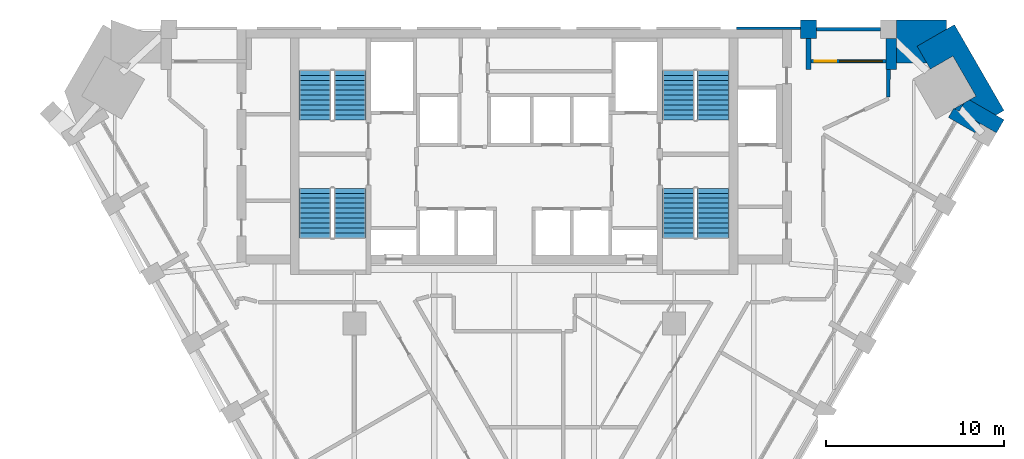
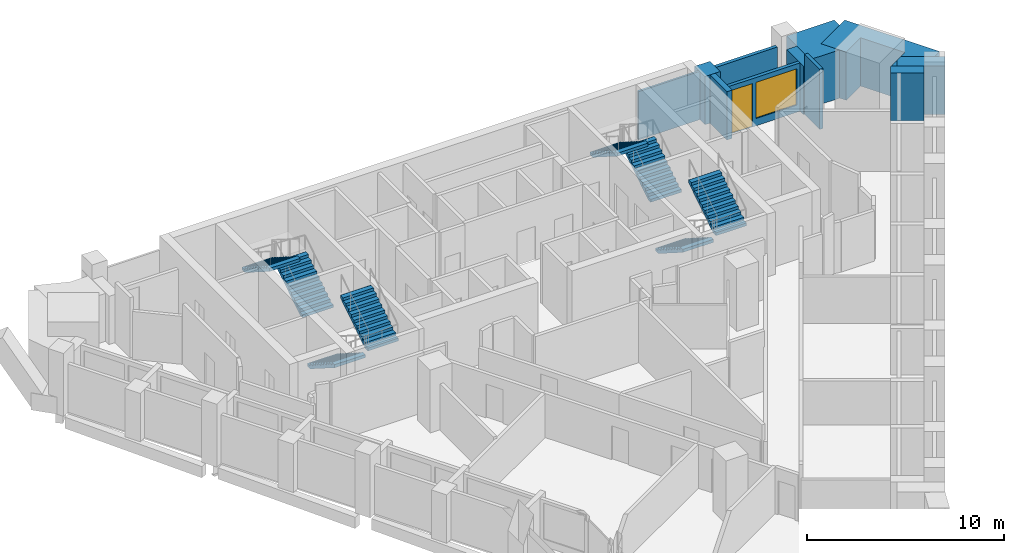
# One storey, part 8 of 9: 12 walls, 8 stair flights, 1 door, 1 window, 2 openings, 4 elements without a shape of their own.
"""IFC4 building model written with IfcOpenShell, lengths in metres."""

import ifcopenshell
import ifcopenshell.guid

model = None  # the IFC model being written
_history = None  # IfcOwnerHistory: only IFC2X3 demands one
_inside = {}  # id of a spatial element -> (the spatial element, [elements in it])
_under = {}  # id of a project, library or spatial element -> (it, [spatial elements below it])
_declared = {}  # id of a project -> (the project, [libraries it declares])
_typed = {}  # id of a type object -> (the type object, [elements of that type])
_made_of = {}  # id of a material, layer set ... -> (it, [elements and type objects made of it])


def new_model(schema):
    """Start an empty IFC model of exactly this schema.

    Asked for "IFC4X3", IfcOpenShell would pick the latest addendum, in which some entities
    have other attributes; the version numbers below select the first issue.
    IFC2X3 requires an IfcOwnerHistory on every rooted entity: one is made here for all.
    """
    global model, _history
    if schema == "IFC4X3":
        model = ifcopenshell.file(schema_version=(4, 3, 0, 0))
    else:
        model = ifcopenshell.file(schema=schema)
    _inside.clear()
    _under.clear()
    _declared.clear()
    _typed.clear()
    _made_of.clear()
    _history = None
    if model.schema == "IFC2X3":
        org = make("IfcOrganization", Name="unknown")
        user = make(
            "IfcPersonAndOrganization",
            ThePerson=make("IfcPerson", FamilyName="unknown"),
            TheOrganization=org,
        )
        app = make(
            "IfcApplication",
            ApplicationDeveloper=org,
            Version="unknown",
            ApplicationFullName="unknown",
            ApplicationIdentifier="unknown",
        )
        _history = make(
            "IfcOwnerHistory",
            OwningUser=user,
            OwningApplication=app,
            ChangeAction="ADDED",
            CreationDate=0,
        )
    return model


def make(cls, **values):
    """One entity of the class cls with the attributes given. An attribute that is None is left unset."""
    return model.create_entity(
        cls, **{name: value for name, value in values.items() if value is not None}
    )


def rooted(cls, **values):
    """An entity with a GlobalId (a new one), such as an element, a storey or a relation."""
    return make(cls, GlobalId=ifcopenshell.guid.new(), OwnerHistory=_history, **values)


def si_unit(unit_type, name, prefix=None):
    """IfcSIUnit, for example si_unit("LENGTHUNIT", "METRE", prefix="MILLI")."""
    return make("IfcSIUnit", UnitType=unit_type, Prefix=prefix, Name=name)


def assignment(units):
    """IfcUnitAssignment: the units of a project."""
    return None if units is None else make("IfcUnitAssignment", Units=units)


def point(xyz):
    """IfcCartesianPoint."""
    return None if xyz is None else make("IfcCartesianPoint", Coordinates=xyz)


def direction(xyz):
    """IfcDirection."""
    return None if xyz is None else make("IfcDirection", DirectionRatios=xyz)


def frame(location, z_axis=None, x_axis=None):
    """IfcAxis2Placement3D, a coordinate frame: its origin and axes. An axis left out is left unset."""
    return make(
        "IfcAxis2Placement3D",
        Location=point(location),
        Axis=direction(z_axis),
        RefDirection=direction(x_axis),
    )


def frame_2d(location, x_axis=None):
    """IfcAxis2Placement2D, a coordinate frame in the plane: its origin and x axis."""
    return make(
        "IfcAxis2Placement2D", Location=point(location), RefDirection=direction(x_axis)
    )


def origin():
    """The frame at (0, 0, 0) with its axes left unset."""
    return frame((0.0, 0.0, 0.0))


def place(relative_to, where):
    """IfcLocalPlacement: puts the frame where relative to a parent placement (None: the world)."""
    return make(
        "IfcLocalPlacement", PlacementRelTo=relative_to, RelativePlacement=where
    )


def context(
    kind, dimensions, precision=None, world=None, true_north=None, identifier=None
):
    """IfcGeometricRepresentationContext, for example the 3D "Model" context."""
    return make(
        "IfcGeometricRepresentationContext",
        ContextIdentifier=identifier,
        ContextType=kind,
        CoordinateSpaceDimension=dimensions,
        Precision=precision,
        WorldCoordinateSystem=world,
        TrueNorth=true_north,
    )


def subcontext(parent, identifier, kind, view, scale=None):
    """IfcGeometricRepresentationSubContext, for example "Body" below "Model"."""
    return make(
        "IfcGeometricRepresentationSubContext",
        ContextIdentifier=identifier,
        ContextType=kind,
        ParentContext=parent,
        TargetScale=scale,
        TargetView=view,
    )


def project(units=None, contexts=None):
    """IfcProject with its units and contexts."""
    return rooted(
        "IfcProject",
        Name="project",
        RepresentationContexts=contexts,
        UnitsInContext=assignment(units),
    )


def spatial(cls, under=None, at=None, **own):
    """A site, building, storey or space (cls), placed at a placement, below another one or the project."""
    s = rooted(cls, ObjectPlacement=at, **own)
    if under is not None:
        _under.setdefault(under.id(), (under, []))[1].append(s)
    return s


def polyline(points):
    """IfcPolyline through the points."""
    return make("IfcPolyline", Points=[point(p) for p in points])


def profile(cls, at=None, kind="AREA", **sizes):
    """A parametric profile (cls). Its sizes go by their IFC names, for example OverallWidth=200.0."""
    return make(cls, ProfileType=kind, Position=at, **sizes)


def rectangle(**sizes):
    """IfcRectangleProfileDef."""
    return profile("IfcRectangleProfileDef", **sizes)


def outline(outer, holes=None, kind="AREA"):
    """IfcArbitraryClosedProfileDef: a profile drawn as a closed curve; with holes, ...WithVoids."""
    if holes is None:
        return make("IfcArbitraryClosedProfileDef", ProfileType=kind, OuterCurve=outer)
    return make(
        "IfcArbitraryProfileDefWithVoids",
        ProfileType=kind,
        OuterCurve=outer,
        InnerCurves=holes,
    )


def extrude(swept, where, along, depth):
    """IfcExtrudedAreaSolid: the profile swept, set in the frame where, extruded along a direction by depth."""
    return make(
        "IfcExtrudedAreaSolid",
        SweptArea=swept,
        Position=where,
        ExtrudedDirection=direction(along),
        Depth=depth,
    )


def faces_of(points, faces, orient=None, outer=None):
    """IfcFace entities. A face is a list of loops; a loop is a list of indices into points, from 0.

    orient and outer hold one flag for each loop. By default every Orientation is true, the
    first loop of a face is its IfcFaceOuterBound and the others are IfcFaceBound.
    """
    made = []
    for i, loops in enumerate(faces):
        bounds = []
        for j, loop in enumerate(loops):
            is_outer = j == 0 if outer is None else outer[i][j]
            bounds.append(
                make(
                    "IfcFaceOuterBound" if is_outer else "IfcFaceBound",
                    Bound=make("IfcPolyLoop", Polygon=[points[k] for k in loop]),
                    Orientation=True if orient is None else orient[i][j],
                )
            )
        made.append(make("IfcFace", Bounds=bounds))
    return made


def faceted_brep(points, faces, orient=None, outer=None, voids=None):
    """IfcFacetedBrep: a solid bounded by flat faces; with voids (closed shells), ...WithVoids."""
    shared = [point(p) for p in points]
    hull = make("IfcClosedShell", CfsFaces=faces_of(shared, faces, orient, outer))
    if voids is None:
        return make("IfcFacetedBrep", Outer=hull)
    return make(
        "IfcFacetedBrepWithVoids",
        Outer=hull,
        Voids=[
            make(cls, CfsFaces=faces_of(shared, fs, o, b)) for cls, fs, o, b in voids
        ],
    )


def shape(context_of_items, identifier, shape_type, items):
    """IfcShapeRepresentation: the items that make up one representation, for example the "Body"."""
    return make(
        "IfcShapeRepresentation",
        ContextOfItems=context_of_items,
        RepresentationIdentifier=identifier,
        RepresentationType=shape_type,
        Items=items,
    )


def source(mapping_origin, context_of_items, identifier, shape_type, items):
    """IfcRepresentationMap: a shape defined once, which mapped items show again and again."""
    return make(
        "IfcRepresentationMap",
        MappingOrigin=mapping_origin,
        MappedRepresentation=shape(context_of_items, identifier, shape_type, items),
    )


def transform(
    local_origin,
    x_axis=None,
    y_axis=None,
    z_axis=None,
    scale=None,
    scale2=None,
    scale3=None,
    uniform=True,
):
    """IfcCartesianTransformationOperator3D, or its non-uniform kind. x_axis, y_axis, z_axis: its Axis1, 2, 3."""
    if uniform:
        return make(
            "IfcCartesianTransformationOperator3D",
            Axis1=direction(x_axis),
            Axis2=direction(y_axis),
            LocalOrigin=point(local_origin),
            Scale=scale,
            Axis3=direction(z_axis),
        )
    return make(
        "IfcCartesianTransformationOperator3DnonUniform",
        Axis1=direction(x_axis),
        Axis2=direction(y_axis),
        LocalOrigin=point(local_origin),
        Scale=scale,
        Axis3=direction(z_axis),
        Scale2=scale2,
        Scale3=scale3,
    )


def mapped(mapping_source, mapping_target):
    """IfcMappedItem: shows the shape of a source again, moved by a transform."""
    return make(
        "IfcMappedItem", MappingSource=mapping_source, MappingTarget=mapping_target
    )


def material(Name=None, Category=None):
    """IfcMaterial."""
    return make("IfcMaterial", Name=Name, Category=Category)


def layer(
    of_material, thickness, ventilated=None, Name=None, Category=None, Priority=None
):
    """IfcMaterialLayer: one layer of a wall or slab, of a material (None: an air gap)."""
    return make(
        "IfcMaterialLayer",
        Material=of_material,
        LayerThickness=thickness,
        IsVentilated=ventilated,
        Name=Name,
        Category=Category,
        Priority=Priority,
    )


def layer_set(layers, Name=None):
    """IfcMaterialLayerSet."""
    return make("IfcMaterialLayerSet", MaterialLayers=layers, LayerSetName=Name)


def made_of(thing, what):
    """Note that an element or type object is made of a material, layer set ...; save() writes the relation."""
    if what is not None:
        _made_of.setdefault(what.id(), (what, []))[1].append(thing)
    return thing


def type_object(cls, material=None, **own):
    """A type object (cls), such as IfcWallType, which elements share."""
    return made_of(rooted(cls, **own), material)


def element(
    cls,
    number,
    at=None,
    inside=None,
    cuts=None,
    type_object=None,
    material=None,
    context=None,
    identifier="Body",
    shape_type=None,
    held_by="IfcProductDefinitionShape",
    body=None,
    shapes=None,
    **own,
):
    """One element of the class cls, such as IfcWall. Its Tag is "e" and its number.

    at: its placement. inside: the storey or other place that contains it. cuts: it is an
    opening in that element (IfcRelVoidsElement). A single representation is given by context,
    identifier, shape_type and body (its items); several are given by shapes. held_by: the class
    of the entity that holds the representations. save() writes the other relations.
    """
    e = rooted(cls, Tag="e%d" % number, ObjectPlacement=at, **own)
    if body is not None:
        shapes = [shape(context, identifier, shape_type, body)]
    if shapes is not None:
        e.Representation = make(held_by, Representations=shapes)
    if inside is not None:
        _inside.setdefault(inside.id(), (inside, []))[1].append(e)
    if cuts is not None:
        rooted(
            "IfcRelVoidsElement", RelatingBuildingElement=cuts, RelatedOpeningElement=e
        )
    if type_object is not None:
        _typed.setdefault(type_object.id(), (type_object, []))[1].append(e)
    return made_of(e, material)


def fill(opening, filler):
    """IfcRelFillsElement: the door or window that sits in an opening."""
    return rooted(
        "IfcRelFillsElement",
        RelatingOpeningElement=opening,
        RelatedBuildingElement=filler,
    )


def aggregate(whole, parts):
    """IfcRelAggregates: a whole, such as a stair, and the parts it consists of."""
    return rooted("IfcRelAggregates", RelatingObject=whole, RelatedObjects=parts)


def save(model, path):
    """Write the relations noted so far, then the file.

    IfcRelAggregates (storeys below a building ...), IfcRelContainedInSpatialStructure (elements
    in a storey), IfcRelDefinesByType, IfcRelAssociatesMaterial and IfcRelDeclares: one each for
    every whole, place, type object, material and project.
    """
    for whole, parts in _under.values():
        aggregate(whole, parts)
    for where, things in _inside.values():
        rooted(
            "IfcRelContainedInSpatialStructure",
            RelatedElements=things,
            RelatingStructure=where,
        )
    for kind, things in _typed.values():
        rooted("IfcRelDefinesByType", RelatedObjects=things, RelatingType=kind)
    for what, things in _made_of.values():
        rooted("IfcRelAssociatesMaterial", RelatedObjects=things, RelatingMaterial=what)
    for by, libraries in _declared.values():
        rooted("IfcRelDeclares", RelatingContext=by, RelatedDefinitions=libraries)
    model.write(path)


model = new_model("IFC4")

# Units and contexts
model_context = context("Model", 3, precision=1e-05, world=origin(), true_north=direction((0.0, 1.0)))
body_context = subcontext(model_context, "Body", "Model", "MODEL_VIEW")
ifc_project = project(units=[si_unit("LENGTHUNIT", "METRE"), si_unit("AREAUNIT", "SQUARE_METRE"), si_unit("VOLUMEUNIT", "CUBIC_METRE"), si_unit("PLANEANGLEUNIT", "RADIAN"), si_unit("MASSUNIT", "GRAM", prefix="KILO")], contexts=[model_context])

# Site, building, storey
site_placement = place(None, origin())
site = spatial("IfcSite", under=ifc_project, at=site_placement, CompositionType="ELEMENT")
building_placement = place(site_placement, origin())
building = spatial("IfcBuilding", under=site, at=building_placement, Name="Calabash Gate Tower", CompositionType="ELEMENT")
storey_placement = place(building_placement, frame((0.0, 0.0, 179.699951171875)))
storey = spatial("IfcBuildingStorey", under=building, at=storey_placement, Name="L42", CompositionType="ELEMENT", Elevation=179.699951171875)

# Walls
ifc_material_1 = material(Name="Terracotta brick masonry, exposed face", Category="masonry")
ifc_layer_1 = layer(ifc_material_1, 2.425048828125)
ifc_layer_set_1 = layer_set([ifc_layer_1], Name="Brick corner mass wall 2425")
wall_type_1 = type_object("IfcWallType", Name="Brick corner mass wall 2425", PredefinedType="SOLIDWALL", material=ifc_layer_set_1)
wall_1_placement = place(storey_placement, origin())
element("IfcWall", 1, at=wall_1_placement, inside=storey, type_object=wall_type_1, Name="Brick corner pier S12 3a", PredefinedType="SOLIDWALL", context=body_context, shape_type="SweptSolid", body=[
    extrude(outline(polyline([(25.05126953125, 14.434326171875), (27.1513671875, 13.221923828125), (27.576171875, 13.957763671875), (25.63134765625, 15.08056640625), (25.32080078125, 14.9013671875), (25.05126953125, 14.434326171875)])), origin(), (0.0, 0.0, 1.0), 3.0),
])
wall_2_placement = place(storey_placement, origin())
element("IfcWall", 2, at=wall_2_placement, inside=storey, type_object=wall_type_1, Name="Brick corner pier S12 3ba", PredefinedType="SOLIDWALL", context=body_context, shape_type="SweptSolid", body=[
    extrude(outline(polyline([(25.05126953125, 14.434326171875), (25.32080078125, 14.9013671875), (24.78173828125, 14.590087890625), (25.05126953125, 14.434326171875)])), origin(), (0.0, 0.0, 1.0), 3.0),
])
wall_3_placement = place(storey_placement, origin())
element("IfcWall", 3, at=wall_3_placement, inside=storey, type_object=wall_type_1, Name="Brick corner pier S12 3bb", PredefinedType="SOLIDWALL", context=body_context, shape_type="SweptSolid", body=[
    extrude(outline(polyline([(23.430908203125, 16.8125), (24.69775390625, 17.5439453125), (25.997802734375, 15.292236328125), (25.63134765625, 15.08056640625), (27.12158203125, 14.22021484375), (27.576171875, 14.482666015625), (24.786376953125, 19.31494140625), (22.68603515625, 18.1025390625), (23.430908203125, 16.8125)])), origin(), (0.0, 0.0, 1.0), 3.0),
])
wall_4_placement = place(storey_placement, origin())
element("IfcWall", 4, at=wall_4_placement, inside=storey, type_object=wall_type_1, Name="Brick corner pier S12 3c", PredefinedType="SOLIDWALL", context=body_context, shape_type="SweptSolid", body=[
    extrude(outline(polyline([(21.521728515625, 18.528076171875), (21.521728515625, 17.152587890625), (23.234619140625, 17.152587890625), (22.68603515625, 18.1025390625), (24.33154296875, 19.052490234375), (24.33154296875, 19.57763671875), (21.52197265625, 19.57763671875), (21.52197265625, 18.528076171875), (21.521728515625, 18.528076171875)])), origin(), (0.0, 0.0, 1.0), 3.0),
])
ifc_material_2 = material(Name="Terracotta brick masonry, exposed face", Category="masonry")
ifc_layer_2 = layer(ifc_material_2, 1.050048828125)
ifc_layer_set_2 = layer_set([ifc_layer_2], Name="Brick end wall 1050")
wall_type_2 = type_object("IfcWallType", Name="Brick end wall 1050", PredefinedType="SOLIDWALL", material=ifc_layer_set_2)
wall_5_placement = place(storey_placement, origin())
element("IfcWall", 5, at=wall_5_placement, inside=storey, type_object=wall_type_2, Name="Brick pier S12 N6.1", PredefinedType="SOLIDWALL", context=body_context, shape_type="SweptSolid", body=[
    extrude(outline(polyline([(17.021728515625, 19.57763671875), (16.121826171875, 19.57763671875), (16.121826171875, 18.527587890625), (17.021728515625, 18.527587890625), (17.021728515625, 19.57763671875)])), origin(), (0.0, 0.0, 1.0), 3.0),
])
ifc_material_3 = material(Name="Terracotta brick masonry, exposed face", Category="masonry")
ifc_layer_3 = layer(ifc_material_3, 0.300048828125)
ifc_layer_set_3 = layer_set([ifc_layer_3], Name="Brick loggia cheek wall 300")
wall_type_3 = type_object("IfcWallType", Name="Brick loggia cheek wall 300", PredefinedType="SOLIDWALL", material=ifc_layer_set_3)
wall_6_placement = place(storey_placement, frame((26.09130859375, 13.487548828125, 0.0), z_axis=(0.0, 0.0, 1.0), x_axis=(-0.866029956157, 0.499992114976, 0.0)))
element("IfcWall", 6, at=wall_6_placement, inside=storey, type_object=wall_type_3, Name="Loggia cheek S12 SE4.8", PredefinedType="SOLIDWALL", context=body_context, shape_type="SweptSolid", body=[
    extrude(rectangle(XDim=1.72412109375, YDim=0.60009765625, at=frame_2d((0.862060546875, 0.0))), origin(), (0.0, 0.0, 1.0), 3.0),
])
wall_7_placement = place(storey_placement, origin())
element("IfcWall", 7, at=wall_7_placement, inside=storey, type_object=wall_type_3, Name="Loggia cheek S12 N6.0", PredefinedType="SOLIDWALL", context=body_context, shape_type="SweptSolid", body=[
    extrude(outline(polyline([(21.521728515625, 16.802490234375), (21.521728515625, 18.527587890625), (20.921875, 18.527587890625), (20.921875, 16.802490234375), (21.521728515625, 16.802490234375)])), origin(), (0.0, 0.0, 1.0), 3.0),
])
wall_8_placement = place(storey_placement, origin())
element("IfcWall", 8, at=wall_8_placement, inside=storey, type_object=wall_type_3, Name="Loggia cheek S12 N6.1", PredefinedType="SOLIDWALL", context=body_context, shape_type="SweptSolid", body=[
    extrude(outline(polyline([(16.421875, 18.527587890625), (16.421875, 16.802490234375), (16.721923828125, 16.802490234375), (16.721923828125, 18.527587890625), (16.421875, 18.527587890625)])), origin(), (0.0, 0.0, 1.0), 3.0),
])
ifc_material_4 = material(Name="Gypsum board on steel studs, mineral wool", Category="steel")
ifc_layer_4 = layer(ifc_material_4, 0.199951171875)
ifc_layer_set_4 = layer_set([ifc_layer_4], Name="Partition 200 gypsum board EI 60")
wall_type_4 = type_object("IfcWallType", Name="Partition 200 gypsum board EI 60", PredefinedType="PARTITIONING", material=ifc_layer_set_4)
wall_9_placement = place(storey_placement, frame((21.072021484375, 15.252197265625, 0.0), z_axis=(0.0, 0.0, 1.0), x_axis=(0.000314960614, 0.9999999504, 0.0)))
element("IfcWall", 9, at=wall_9_placement, inside=storey, type_object=wall_type_4, Name="Partition", PredefinedType="PARTITIONING", context=body_context, shape_type="SweptSolid", body=[
    extrude(rectangle(XDim=1.55029296875, YDim=0.199951171875, at=frame_2d((0.775146484375, 0.0))), origin(), (0.0, 0.0, 1.0), 3.72998046875),
])
ifc_material_5 = material(Name="Terracotta brick masonry, perforated", Category="masonry")
ifc_layer_5 = layer(ifc_material_5, 0.199951171875)
ifc_layer_set_5 = layer_set([ifc_layer_5], Name="Terracotta jaali screen B")
wall_type_5 = type_object("IfcWallType", Name="Terracotta jaali screen B", PredefinedType="SOLIDWALL", material=ifc_layer_set_5)
wall_10_placement = place(storey_placement, frame((20.621826171875, 19.052490234375, 0.0), z_axis=(0.0, 0.0, 1.0), x_axis=(-1.0, 0.0, 0.0)))
element("IfcWall", 10, at=wall_10_placement, inside=storey, type_object=wall_type_5, Name="SCREEN B S12 N6.1", PredefinedType="SOLIDWALL", context=body_context, shape_type="SweptSolid", body=[
    extrude(rectangle(XDim=3.60009765625, YDim=0.199951171875, at=frame_2d((1.800048828125, 0.0))), origin(), (0.0, 0.0, 1.0), 3.0),
])
ifc_material_6 = material(Name="Terracotta louvre blades in an aluminium frame", Category="masonry")
ifc_layer_6 = layer(ifc_material_6, 0.1201171875)
ifc_layer_set_6 = layer_set([ifc_layer_6], Name="Terracotta vent louvre cladding 120")
wall_type_6 = type_object("IfcWallType", Name="Terracotta vent louvre cladding 120", PredefinedType="ELEMENTEDWALL", material=ifc_layer_set_6)
wall_11_placement = place(storey_placement, origin())
element("IfcWall", 11, at=wall_11_placement, inside=storey, type_object=wall_type_6, Name="Vent louvre cladding S12 N6.2", PredefinedType="ELEMENTEDWALL", context=body_context, shape_type="SweptSolid", body=[
    extrude(outline(polyline([(12.521728515625, 19.172607421875), (12.521728515625, 19.052490234375), (16.121337890625, 19.052490234375), (16.121337890625, 19.172607421875), (12.521728515625, 19.172607421875)])), origin(), (0.0, 0.0, 1.0), 3.0),
])

# Wall, openings, door, window
ifc_material_7 = material(Name="Aluminium framed window wall with insulated spandrel", Category="aluminium")
ifc_layer_7 = layer(ifc_material_7, 0.199951171875)
ifc_layer_set_7 = layer_set([ifc_layer_7], Name="Window wall 200")
wall_type_7 = type_object("IfcWallType", Name="Window wall 200", PredefinedType="ELEMENTEDWALL", material=ifc_layer_set_7)
wall_12_placement = place(storey_placement, frame((20.921875, 17.25244140625, 0.0), z_axis=(0.0, 0.0, 1.0), x_axis=(-1.0, 0.0, 0.0)))
wall_12 = element("IfcWall", 12, at=wall_12_placement, inside=storey, type_object=wall_type_7, Name="Window wall S12 N6.1", PredefinedType="ELEMENTEDWALL", context=body_context, shape_type="SweptSolid", body=[
    extrude(rectangle(XDim=4.199951171875, YDim=0.199951171875, at=frame_2d((2.10009765625, 0.0))), origin(), (0.0, 0.0, 1.0), 3.0),
])
opening_1_placement = place(wall_12_placement, frame((0.199951171875, 0.0, 0.449951171875)))
opening_1 = element("IfcOpeningElement", 13, at=opening_1_placement, cuts=wall_12, Name="Opening OW1", PredefinedType="OPENING", context=body_context, shape_type="SweptSolid", body=[
    extrude(rectangle(XDim=2.39990234375, YDim=2.25, at=frame_2d((1.199951171875, 1.125))), frame((0.0, 0.10986328125, 0.0), z_axis=(0.0, -1.0, 0.0), x_axis=(1.0, 0.0, 0.0)), (0.0, 0.0, 1.0), 0.219970703125),
])
opening_2_placement = place(wall_12_placement, frame((2.800048828125, 0.0, 0.0)))
opening_2 = element("IfcOpeningElement", 14, at=opening_2_placement, cuts=wall_12, Name="Opening O4-019", PredefinedType="OPENING", context=body_context, shape_type="SweptSolid", body=[
    extrude(rectangle(XDim=1.199951171875, YDim=2.699951171875, at=frame_2d((0.60009765625, 1.35009765625))), frame((0.0, 0.10986328125, 0.0), z_axis=(0.0, -1.0, 0.0), x_axis=(1.0, 0.0, 0.0)), (0.0, 0.0, 1.0), 0.219970703125),
])
ifc_material_8 = material(Name="Anodised aluminium frame, bronze finish, impact-rated laminated clear glazing", Category="aluminium")
door_type = type_object("IfcDoorType", Name="Loggia door DO1 1200x2700", OperationType="SLIDING_TO_LEFT", PredefinedType="DOOR", material=ifc_material_8)
door_placement = place(opening_2_placement, origin())
door = element("IfcDoor", 15, at=door_placement, inside=storey, type_object=door_type, Name="Loggia door S12 N6.1", OperationType="SINGLE_SWING_LEFT", OverallHeight=2.699951171875, OverallWidth=1.199951171875, PredefinedType="DOOR", context=body_context, shape_type="SweptSolid", body=[
    extrude(rectangle(XDim=1.199951171875, YDim=2.699951171875, at=frame_2d((0.60009765625, 1.35009765625))), frame((0.0, 0.02490234375, 0.0), z_axis=(0.0, -1.0, 0.0), x_axis=(1.0, 0.0, 0.0)), (0.0, 0.0, 1.0), 0.050048828125),
])
fill(opening_2, door)
ifc_material_9 = material(Name="Anodised aluminium frame, bronze finish, impact-rated laminated clear glazing", Category="aluminium")
window_type = type_object("IfcWindowType", Name="Window OW1 2400x2250", PartitioningType="DOUBLE_PANEL_VERTICAL", PredefinedType="WINDOW", material=ifc_material_9)
window_placement = place(opening_1_placement, origin())
window = element("IfcWindow", 16, at=window_placement, inside=storey, type_object=window_type, Name="Window OW1 S12 N6.1", OverallHeight=2.25, OverallWidth=2.39990234375, PartitioningType="SINGLE_PANEL", PredefinedType="WINDOW", context=body_context, shape_type="SweptSolid", body=[
    extrude(rectangle(XDim=2.39990234375, YDim=2.25, at=frame_2d((1.199951171875, 1.125))), frame((0.0, 0.030029296875, 0.0), z_axis=(0.0, -1.0, 0.0), x_axis=(1.0, 0.0, 0.0)), (0.0, 0.0, 1.0), 0.06005859375),
])
fill(opening_1, window)

# Stair, stair flights
ifc_material_10 = material(Name="Concrete C40/50", Category="concrete")
stair_type = type_object("IfcStairType", Name="Exit stair 22 risers of 177.3 mm", PredefinedType="HALF_TURN_STAIR", material=ifc_material_10)
stair_1_placement = place(storey_placement, origin())
stair_1 = element("IfcStair", 17, at=stair_1_placement, inside=storey, type_object=stair_type, Name="L42 Exit stair ST1", PredefinedType="HALF_TURN_STAIR")
ifc_material_11 = material(Name="Concrete C40/50", Category="concrete")
stair_flight_type = type_object("IfcStairFlightType", Name="Exit stair flight SFL", PredefinedType="STRAIGHT", material=ifc_material_11)
shared_shape = source(origin(), body_context, "Body", "Brep", [
    faceted_brep([(-0.0009765625, -0.89990234375, 0.0), (0.279541015625, -0.89990234375, 0.0), (2.791015625, -0.89990234375, 1.59521484375), (-0.0009765625, 0.89990234375, 0.0), (2.791015625, 0.89990234375, 1.59521484375), (0.279541015625, 0.89990234375, 0.0), (2.791015625, -0.89990234375, 1.78466796875), (2.7900390625, -0.89990234375, 1.78466796875), (2.7900390625, 0.89990234375, 1.78466796875), (2.791015625, 0.89990234375, 1.78466796875), (2.7900390625, -0.89990234375, 1.772705078125), (2.7900390625, 0.89990234375, 1.772705078125), (2.510986328125, -0.89990234375, 1.772705078125), (2.510986328125, 0.89990234375, 1.772705078125), (2.510986328125, -0.89990234375, 1.595458984375), (2.510986328125, 0.89990234375, 1.595458984375), (2.23193359375, -0.89990234375, 1.595458984375), (2.23193359375, 0.89990234375, 1.595458984375), (2.23193359375, -0.89990234375, 1.418212890625), (2.23193359375, 0.89990234375, 1.418212890625), (1.952880859375, -0.89990234375, 1.418212890625), (1.952880859375, -0.89990234375, 1.240966796875), (1.952880859375, 0.89990234375, 1.240966796875), (1.952880859375, 0.89990234375, 1.418212890625), (1.674072265625, -0.89990234375, 1.240966796875), (1.674072265625, -0.89990234375, 1.063720703125), (1.674072265625, 0.89990234375, 1.063720703125), (1.674072265625, 0.89990234375, 1.240966796875), (1.39501953125, -0.89990234375, 1.063720703125), (1.39501953125, -0.89990234375, 0.886474609375), (1.39501953125, 0.89990234375, 0.886474609375), (1.39501953125, 0.89990234375, 1.063720703125), (1.115966796875, -0.89990234375, 0.886474609375), (1.115966796875, -0.89990234375, 0.708984375), (1.115966796875, 0.89990234375, 0.708984375), (1.115966796875, 0.89990234375, 0.886474609375), (0.8369140625, -0.89990234375, 0.708984375), (0.8369140625, -0.89990234375, 0.53173828125), (0.8369140625, 0.89990234375, 0.53173828125), (0.8369140625, 0.89990234375, 0.708984375), (0.55810546875, -0.89990234375, 0.53173828125), (0.55810546875, -0.89990234375, 0.3544921875), (0.55810546875, 0.89990234375, 0.3544921875), (0.55810546875, 0.89990234375, 0.53173828125), (0.279052734375, -0.89990234375, 0.3544921875), (0.279052734375, -0.89990234375, 0.17724609375), (0.279052734375, 0.89990234375, 0.17724609375), (0.279052734375, 0.89990234375, 0.3544921875), (-0.0009765625, -0.89990234375, 0.17724609375), (-0.0009765625, 0.89990234375, 0.17724609375), (0.279541015625, -0.360107421875, 0.0), (2.791015625, -0.360107421875, 1.59521484375), (0.279541015625, 0.0, 0.0), (2.791015625, 0.0, 1.59521484375), (0.279541015625, 0.360107421875, 0.0), (2.791015625, 0.360107421875, 1.59521484375), (2.791015625, -0.360107421875, 1.78466796875), (2.791015625, 0.0, 1.78466796875), (2.791015625, 0.360107421875, 1.78466796875), (2.7900390625, -0.360107421875, 1.78466796875), (2.7900390625, 0.0, 1.78466796875), (2.7900390625, 0.360107421875, 1.78466796875), (2.7900390625, -0.360107421875, 1.772705078125), (2.7900390625, 0.0, 1.772705078125), (2.7900390625, 0.360107421875, 1.772705078125), (2.510986328125, -0.360107421875, 1.772705078125), (2.510986328125, 0.0, 1.772705078125), (2.510986328125, 0.360107421875, 1.772705078125), (2.510986328125, -0.360107421875, 1.595458984375), (2.510986328125, 0.0, 1.595458984375), (2.510986328125, 0.360107421875, 1.595458984375), (2.23193359375, -0.360107421875, 1.595458984375), (2.23193359375, 0.0, 1.595458984375), (2.23193359375, 0.360107421875, 1.595458984375), (2.23193359375, -0.360107421875, 1.418212890625), (2.23193359375, 0.0, 1.418212890625), (2.23193359375, 0.360107421875, 1.418212890625), (1.952880859375, -0.360107421875, 1.418212890625), (1.952880859375, 0.0, 1.418212890625), (1.952880859375, 0.360107421875, 1.418212890625), (1.952880859375, -0.360107421875, 1.240966796875), (1.952880859375, 0.0, 1.240966796875), (1.952880859375, 0.360107421875, 1.240966796875), (1.674072265625, -0.360107421875, 1.240966796875), (1.674072265625, 0.0, 1.240966796875), (1.674072265625, 0.360107421875, 1.240966796875), (1.674072265625, -0.360107421875, 1.063720703125), (1.674072265625, 0.0, 1.063720703125), (1.674072265625, 0.360107421875, 1.063720703125), (1.39501953125, -0.360107421875, 1.063720703125), (1.39501953125, 0.0, 1.063720703125), (1.39501953125, 0.360107421875, 1.063720703125), (1.39501953125, -0.360107421875, 0.886474609375), (1.39501953125, 0.0, 0.886474609375), (1.39501953125, 0.360107421875, 0.886474609375), (1.115966796875, -0.360107421875, 0.886474609375), (1.115966796875, 0.0, 0.886474609375), (1.115966796875, 0.360107421875, 0.886474609375), (1.115966796875, -0.360107421875, 0.708984375), (1.115966796875, 0.0, 0.708984375), (1.115966796875, 0.360107421875, 0.708984375), (0.8369140625, -0.360107421875, 0.708984375), (0.8369140625, 0.0, 0.708984375), (0.8369140625, 0.360107421875, 0.708984375), (0.8369140625, -0.360107421875, 0.53173828125), (0.8369140625, 0.0, 0.53173828125), (0.8369140625, 0.360107421875, 0.53173828125), (0.55810546875, -0.360107421875, 0.53173828125), (0.55810546875, 0.0, 0.53173828125), (0.55810546875, 0.360107421875, 0.53173828125), (0.55810546875, -0.360107421875, 0.3544921875), (0.55810546875, 0.0, 0.3544921875), (0.55810546875, 0.360107421875, 0.3544921875), (0.279052734375, -0.360107421875, 0.3544921875), (0.279052734375, 0.0, 0.3544921875), (0.279052734375, 0.360107421875, 0.3544921875), (0.279052734375, -0.360107421875, 0.17724609375), (0.279052734375, 0.0, 0.17724609375), (0.279052734375, 0.360107421875, 0.17724609375), (-0.0009765625, -0.360107421875, 0.17724609375), (-0.0009765625, 0.0, 0.17724609375), (-0.0009765625, 0.360107421875, 0.17724609375), (-0.0009765625, -0.360107421875, 0.0), (-0.0009765625, 0.0, 0.0), (-0.0009765625, 0.360107421875, 0.0)], [[[0, 1, 2]], [[3, 4, 5]], [[2, 6, 7]], [[4, 8, 9]], [[2, 7, 10]], [[4, 11, 8]], [[2, 10, 12]], [[4, 13, 11]], [[2, 12, 14]], [[4, 15, 13]], [[2, 14, 16]], [[4, 17, 15]], [[2, 16, 18]], [[4, 19, 17]], [[18, 20, 21]], [[19, 22, 23]], [[2, 18, 21]], [[4, 22, 19]], [[21, 24, 25]], [[22, 26, 27]], [[2, 21, 25]], [[4, 26, 22]], [[25, 28, 29]], [[26, 30, 31]], [[2, 25, 29]], [[4, 30, 26]], [[29, 32, 33]], [[30, 34, 35]], [[2, 29, 33]], [[4, 34, 30]], [[33, 36, 37]], [[34, 38, 39]], [[2, 33, 37]], [[4, 38, 34]], [[37, 40, 41]], [[38, 42, 43]], [[2, 37, 41]], [[4, 42, 38]], [[41, 44, 45]], [[42, 46, 47]], [[2, 41, 45]], [[4, 46, 42]], [[0, 2, 45]], [[3, 46, 4]], [[45, 48, 0]], [[46, 3, 49]], [[1, 50, 2]], [[50, 51, 2]], [[50, 52, 51]], [[52, 53, 51]], [[52, 54, 55]], [[52, 55, 53]], [[54, 5, 4]], [[54, 4, 55]], [[2, 51, 6]], [[51, 56, 6]], [[51, 53, 56]], [[53, 57, 56]], [[53, 55, 58]], [[53, 58, 57]], [[55, 4, 9]], [[55, 9, 58]], [[6, 56, 7]], [[56, 59, 7]], [[56, 57, 59]], [[57, 60, 59]], [[57, 58, 61]], [[57, 61, 60]], [[58, 9, 8]], [[58, 8, 61]], [[7, 59, 10]], [[59, 62, 10]], [[59, 60, 62]], [[60, 63, 62]], [[60, 61, 64]], [[60, 64, 63]], [[61, 8, 11]], [[61, 11, 64]], [[10, 62, 12]], [[62, 65, 12]], [[62, 63, 65]], [[63, 66, 65]], [[63, 64, 67]], [[63, 67, 66]], [[64, 11, 13]], [[64, 13, 67]], [[12, 65, 14]], [[65, 68, 14]], [[65, 66, 68]], [[66, 69, 68]], [[66, 67, 70]], [[66, 70, 69]], [[67, 13, 15]], [[67, 15, 70]], [[14, 68, 16]], [[68, 71, 16]], [[68, 69, 71]], [[69, 72, 71]], [[69, 70, 73]], [[69, 73, 72]], [[70, 15, 17]], [[70, 17, 73]], [[16, 71, 18]], [[71, 74, 18]], [[71, 72, 74]], [[72, 75, 74]], [[72, 73, 76]], [[72, 76, 75]], [[73, 17, 19]], [[73, 19, 76]], [[18, 74, 20]], [[74, 77, 20]], [[74, 75, 77]], [[75, 78, 77]], [[75, 76, 79]], [[75, 79, 78]], [[76, 19, 23]], [[76, 23, 79]], [[20, 77, 21]], [[77, 80, 21]], [[77, 78, 80]], [[78, 81, 80]], [[78, 79, 82]], [[78, 82, 81]], [[79, 23, 22]], [[79, 22, 82]], [[21, 80, 24]], [[80, 83, 24]], [[80, 81, 83]], [[81, 84, 83]], [[81, 82, 85]], [[81, 85, 84]], [[82, 22, 27]], [[82, 27, 85]], [[24, 83, 25]], [[83, 86, 25]], [[83, 84, 86]], [[84, 87, 86]], [[84, 85, 88]], [[84, 88, 87]], [[85, 27, 26]], [[85, 26, 88]], [[25, 86, 28]], [[86, 89, 28]], [[86, 87, 89]], [[87, 90, 89]], [[87, 88, 91]], [[87, 91, 90]], [[88, 26, 31]], [[88, 31, 91]], [[28, 89, 29]], [[89, 92, 29]], [[89, 90, 92]], [[90, 93, 92]], [[90, 91, 94]], [[90, 94, 93]], [[91, 31, 30]], [[91, 30, 94]], [[29, 92, 32]], [[92, 95, 32]], [[92, 93, 95]], [[93, 96, 95]], [[93, 94, 97]], [[93, 97, 96]], [[94, 30, 35]], [[94, 35, 97]], [[32, 95, 33]], [[95, 98, 33]], [[95, 96, 98]], [[96, 99, 98]], [[96, 97, 100]], [[96, 100, 99]], [[97, 35, 34]], [[97, 34, 100]], [[33, 98, 36]], [[98, 101, 36]], [[98, 99, 101]], [[99, 102, 101]], [[99, 100, 103]], [[99, 103, 102]], [[100, 34, 39]], [[100, 39, 103]], [[36, 101, 37]], [[101, 104, 37]], [[101, 102, 104]], [[102, 105, 104]], [[102, 103, 106]], [[102, 106, 105]], [[103, 39, 38]], [[103, 38, 106]], [[37, 104, 40]], [[104, 107, 40]], [[104, 105, 107]], [[105, 108, 107]], [[105, 106, 109]], [[105, 109, 108]], [[106, 38, 43]], [[106, 43, 109]], [[40, 107, 41]], [[107, 110, 41]], [[107, 108, 110]], [[108, 111, 110]], [[108, 109, 112]], [[108, 112, 111]], [[109, 43, 42]], [[109, 42, 112]], [[41, 110, 44]], [[110, 113, 44]], [[110, 111, 113]], [[111, 114, 113]], [[111, 112, 115]], [[111, 115, 114]], [[112, 42, 47]], [[112, 47, 115]], [[44, 113, 45]], [[113, 116, 45]], [[113, 114, 116]], [[114, 117, 116]], [[114, 115, 118]], [[114, 118, 117]], [[115, 47, 46]], [[115, 46, 118]], [[45, 116, 48]], [[116, 119, 48]], [[116, 117, 119]], [[117, 120, 119]], [[117, 118, 121]], [[117, 121, 120]], [[118, 46, 49]], [[118, 49, 121]], [[48, 119, 0]], [[119, 122, 0]], [[119, 120, 122]], [[120, 123, 122]], [[120, 121, 124]], [[120, 124, 123]], [[121, 49, 3]], [[121, 3, 124]], [[0, 122, 1]], [[122, 50, 1]], [[122, 123, 50]], [[123, 52, 50]], [[123, 124, 54]], [[123, 54, 52]], [[124, 3, 5]], [[124, 5, 54]]]),
])
stair_flight_1_placement = place(storey_placement, frame((-9.25, 13.95263671875, 0.0), z_axis=(0.0, 0.0, 1.0), x_axis=(0.0, 1.0, 0.0)))
stair_flight_1 = element("IfcStairFlight", 18, at=stair_flight_1_placement, type_object=stair_flight_type, Name="ST1 flight 1", NumberOfRisers=11, NumberOfTreads=10, PredefinedType="STRAIGHT", RiserHeight=0.177272727, TreadLength=0.279, context=body_context, shape_type="MappedRepresentation", body=[
    mapped(shared_shape, transform((0.0, 0.0, 0.0), scale=1.0)),
])
stair_flight_2_placement = place(storey_placement, frame((-11.199951171875, 16.74267578125, 1.949951171875), z_axis=(0.0, 0.0, 1.0), x_axis=(0.0, -1.0, 0.0)))
stair_flight_2 = element("IfcStairFlight", 19, at=stair_flight_2_placement, type_object=stair_flight_type, Name="ST1 flight 2", NumberOfRisers=11, NumberOfTreads=10, PredefinedType="STRAIGHT", RiserHeight=0.177272727, TreadLength=0.279, context=body_context, shape_type="MappedRepresentation", body=[
    mapped(shared_shape, transform((0.0, 0.0, 0.0), scale=1.0)),
])
aggregate(stair_1, [stair_flight_1, stair_flight_2])

stair_2_placement = place(storey_placement, origin())
stair_2 = element("IfcStair", 20, at=stair_2_placement, inside=storey, type_object=stair_type, Name="L42 Exit stair ST2", PredefinedType="HALF_TURN_STAIR")
stair_flight_3_placement = place(storey_placement, frame((-11.199951171875, 10.1025390625, 0.0), z_axis=(0.0, 0.0, 1.0), x_axis=(0.0, -1.0, 0.0)))
stair_flight_3 = element("IfcStairFlight", 21, at=stair_flight_3_placement, type_object=stair_flight_type, Name="ST2 flight 1", NumberOfRisers=11, NumberOfTreads=10, PredefinedType="STRAIGHT", RiserHeight=0.177272727, TreadLength=0.279, context=body_context, shape_type="MappedRepresentation", body=[
    mapped(shared_shape, transform((0.0, 0.0, 0.0), scale=1.0)),
])
stair_flight_4_placement = place(storey_placement, frame((-9.25, 7.3125, 1.949951171875), z_axis=(0.0, 0.0, 1.0), x_axis=(0.0, 1.0, 0.0)))
stair_flight_4 = element("IfcStairFlight", 22, at=stair_flight_4_placement, type_object=stair_flight_type, Name="ST2 flight 2", NumberOfRisers=11, NumberOfTreads=10, PredefinedType="STRAIGHT", RiserHeight=0.177272727, TreadLength=0.279, context=body_context, shape_type="MappedRepresentation", body=[
    mapped(shared_shape, transform((0.0, 0.0, 0.0), scale=1.0)),
])
aggregate(stair_2, [stair_flight_3, stair_flight_4])

stair_3_placement = place(storey_placement, origin())
stair_3 = element("IfcStair", 23, at=stair_3_placement, inside=storey, type_object=stair_type, Name="L42 Exit stair ST3", PredefinedType="HALF_TURN_STAIR")
stair_flight_5_placement = place(storey_placement, frame((11.199951171875, 13.95263671875, 0.0), z_axis=(0.0, 0.0, 1.0), x_axis=(0.0, 1.0, 0.0)))
stair_flight_5 = element("IfcStairFlight", 24, at=stair_flight_5_placement, type_object=stair_flight_type, Name="ST3 flight 1", NumberOfRisers=11, NumberOfTreads=10, PredefinedType="STRAIGHT", RiserHeight=0.177272727, TreadLength=0.279, context=body_context, shape_type="MappedRepresentation", body=[
    mapped(shared_shape, transform((0.0, 0.0, 0.0), scale=1.0)),
])
stair_flight_6_placement = place(storey_placement, frame((9.25, 16.74267578125, 1.949951171875), z_axis=(0.0, 0.0, 1.0), x_axis=(0.0, -1.0, 0.0)))
stair_flight_6 = element("IfcStairFlight", 25, at=stair_flight_6_placement, type_object=stair_flight_type, Name="ST3 flight 2", NumberOfRisers=11, NumberOfTreads=10, PredefinedType="STRAIGHT", RiserHeight=0.177272727, TreadLength=0.279, context=body_context, shape_type="MappedRepresentation", body=[
    mapped(shared_shape, transform((0.0, 0.0, 0.0), scale=1.0)),
])
aggregate(stair_3, [stair_flight_5, stair_flight_6])

stair_4_placement = place(storey_placement, origin())
stair_4 = element("IfcStair", 26, at=stair_4_placement, inside=storey, type_object=stair_type, Name="L42 Exit stair ST4", PredefinedType="HALF_TURN_STAIR")
stair_flight_7_placement = place(storey_placement, frame((9.25, 10.1025390625, 0.0), z_axis=(0.0, 0.0, 1.0), x_axis=(0.0, -1.0, 0.0)))
stair_flight_7 = element("IfcStairFlight", 27, at=stair_flight_7_placement, type_object=stair_flight_type, Name="ST4 flight 1", NumberOfRisers=11, NumberOfTreads=10, PredefinedType="STRAIGHT", RiserHeight=0.177272727, TreadLength=0.279, context=body_context, shape_type="MappedRepresentation", body=[
    mapped(shared_shape, transform((0.0, 0.0, 0.0), scale=1.0)),
])
stair_flight_8_placement = place(storey_placement, frame((11.199951171875, 7.3125, 1.949951171875), z_axis=(0.0, 0.0, 1.0), x_axis=(0.0, 1.0, 0.0)))
stair_flight_8 = element("IfcStairFlight", 28, at=stair_flight_8_placement, type_object=stair_flight_type, Name="ST4 flight 2", NumberOfRisers=11, NumberOfTreads=10, PredefinedType="STRAIGHT", RiserHeight=0.177272727, TreadLength=0.279, context=body_context, shape_type="MappedRepresentation", body=[
    mapped(shared_shape, transform((0.0, 0.0, 0.0), scale=1.0)),
])
aggregate(stair_4, [stair_flight_7, stair_flight_8])

save(model, "model.ifc")
